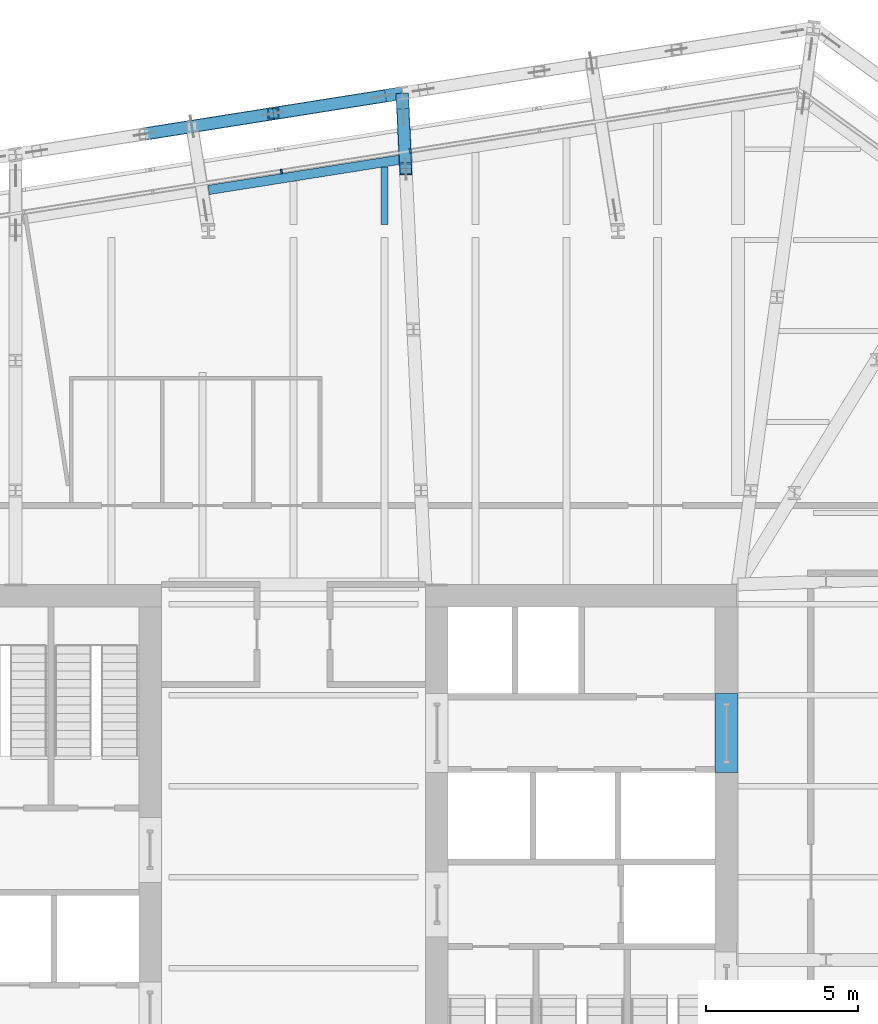
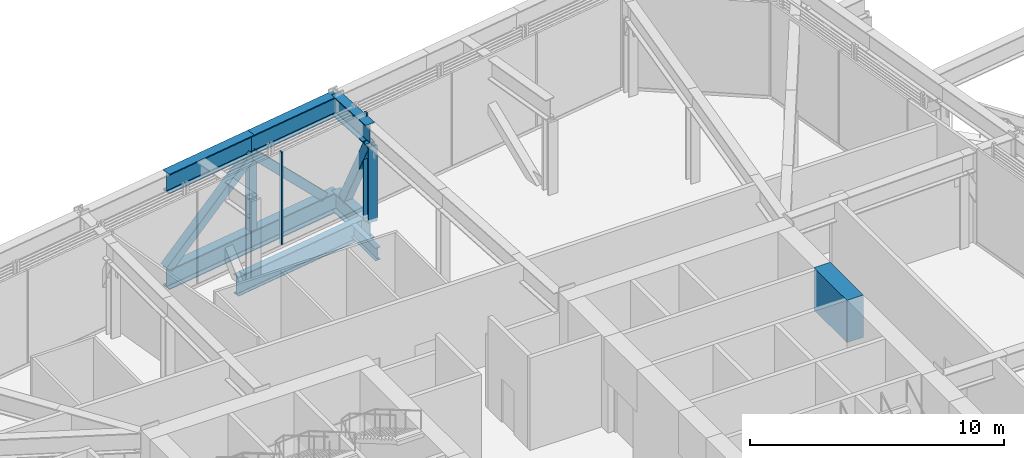
# One storey, part 14 of 32: 9 beams, 7 members, 1 element without a shape of its own.
"""IFC4 building model written with IfcOpenShell, lengths in metres."""

from ifc_helpers import new_model, si_unit, direction, frame, origin, origin_2d, place, context, subcontext, project, spatial, rectangle, hollow_rectangle, i_section, extrude, material, layer, layer_set, material_profile, profile_set, type_object, element, aggregate, save


model = new_model("IFC4")

# Units and contexts
model_context = context("Model", 3, precision=1e-05, world=origin(), true_north=direction((0.0, 1.0)))
body_context = subcontext(model_context, "Body", "Model", "MODEL_VIEW")
ifc_project = project(units=[si_unit("LENGTHUNIT", "METRE"), si_unit("AREAUNIT", "SQUARE_METRE"), si_unit("VOLUMEUNIT", "CUBIC_METRE"), si_unit("PLANEANGLEUNIT", "RADIAN"), si_unit("MASSUNIT", "GRAM", prefix="KILO")], contexts=[model_context])

# Site, building, storey
site_placement = place(None, origin())
site = spatial("IfcSite", under=ifc_project, at=site_placement, CompositionType="ELEMENT")
building_placement = place(site_placement, origin())
building = spatial("IfcBuilding", under=site, at=building_placement, Name="Millrace Tower", CompositionType="ELEMENT")
storey_placement = place(building_placement, frame((0.0, 0.0, 124.89990234375)))
storey = spatial("IfcBuildingStorey", under=building, at=storey_placement, Name="L27", CompositionType="ELEMENT", Elevation=124.89990234375)

# Curtain wall, members
ifc_material_1 = material(Name="Aluminium and glass", Category="aluminium")
ifc_layer = layer(ifc_material_1, 0.14990234375)
ifc_layer_set = layer_set([ifc_layer], Name="Aluminium and glass")
curtain_wall_type = type_object("IfcCurtainWallType", Name="CW-5 truss and plant storey louvred infill", PredefinedType="NOTDEFINED", material=ifc_layer_set)
curtain_wall_placement = place(storey_placement, origin())
curtain_wall = element("IfcCurtainWall", 1, at=curtain_wall_placement, inside=storey, type_object=curtain_wall_type, Name="Curtain wall C-F06 L27", PredefinedType="NOTDEFINED")
ifc_material_2 = material(Name="Aluminium", Category="aluminium")
ifc_material_profile_1 = material_profile(ifc_material_2, rectangle(XDim=0.06494140625, YDim=0.14990234375, at=origin_2d()))
ifc_profile_set_1 = profile_set([ifc_material_profile_1], Name="Aluminium")
member_type_1 = type_object("IfcMemberType", Name="CW-5 truss and plant storey louvred infill mullion", PredefinedType="MULLION", material=ifc_profile_set_1)
member_1_placement = place(storey_placement, frame((3.8505859375, 23.938720703125, 0.14013671875), z_axis=(0.0, 0.0, 1.0), x_axis=(-0.98768833929, -0.15643447328, 0.0)))
member_1 = element("IfcMember", 2, at=member_1_placement, type_object=member_type_1, Name="CW5 mullion C-F06.4", PredefinedType="MULLION", context=body_context, shape_type="SweptSolid", body=[
    extrude(rectangle(XDim=0.06494140625, YDim=0.14990234375, at=origin_2d()), origin(), (0.0, 0.0, 1.0), 4.4599609375),
])
member_2_placement = place(storey_placement, frame((-0.396484375, 23.26611328125, 0.14013671875), z_axis=(0.0, 0.0, 1.0), x_axis=(-0.98768833929, -0.15643447328, 0.0)))
member_2 = element("IfcMember", 3, at=member_2_placement, type_object=member_type_1, Name="CW5 mullion C-F06.5", PredefinedType="MULLION", context=body_context, shape_type="SweptSolid", body=[
    extrude(rectangle(XDim=0.06494140625, YDim=0.14990234375, at=origin_2d()), origin(), (0.0, 0.0, 1.0), 4.4599609375),
])
aggregate(curtain_wall, [member_1, member_2])

# Beams
ifc_material_3 = material(Name="Concrete C70", Category="concrete")
ifc_material_profile_2 = material_profile(ifc_material_3, rectangle(XDim=0.75, YDim=2.0400390625, at=origin_2d()))
ifc_profile_set_2 = profile_set([ifc_material_profile_2], Name="Concrete C70")
beam_type_1 = type_object("IfcBeamType", Name="Coupling beam 750 x 2040 Concrete C70, 2000 opening", PredefinedType="BEAM", material=ifc_profile_set_2)
beam_1_placement = place(storey_placement, frame((14.27490234375, 6.050048828125, 3.420166015625), z_axis=(0.0, -1.0, 0.0), x_axis=(1.0, 0.0, 0.0)))
element("IfcBeam", 4, at=beam_1_placement, inside=storey, type_object=beam_type_1, Name="Coupling beam E L27", PredefinedType="BEAM", context=body_context, shape_type="SweptSolid", body=[
    extrude(rectangle(XDim=0.75, YDim=2.0400390625, at=origin_2d()), origin(), (0.0, 0.0, 1.0), 2.60009765625),
])
ifc_material_4 = material(Name="Steel ASTM A992 Grade 50", Category="steel")
ifc_material_profile_3 = material_profile(ifc_material_4, i_section(OverallWidth=0.228271484375, OverallDepth=0.607177734375, WebThickness=0.01123046875, FlangeThickness=0.017333984375, FilletRadius=0.0126953125, at=origin_2d()))
ifc_profile_set_3 = profile_set([ifc_material_profile_3], Name="Steel ASTM A992 Grade 50")
beam_type_2 = type_object("IfcBeamType", Name="Floor beam W24x76", PredefinedType="JOIST", material=ifc_profile_set_3)
beam_2_placement = place(storey_placement, frame((3.0, 21.51806640625, -0.46337890625), z_axis=(0.0, 1.0, 0.0), x_axis=(-1.0, 0.0, 0.0)))
element("IfcBeam", 5, at=beam_2_placement, inside=storey, type_object=beam_type_2, Name="BM-C-L27-S1-S049-b", PredefinedType="JOIST", context=body_context, shape_type="SweptSolid", body=[
    extrude(i_section(OverallWidth=0.228271484375, OverallDepth=0.607177734375, WebThickness=0.01123046875, FlangeThickness=0.017333984375, FilletRadius=0.0126953125, at=origin_2d()), origin(), (0.0, 0.0, 1.0), 1.898681640625),
])
ifc_material_5 = material(Name="Steel ASTM A992 Grade 50", Category="steel")
ifc_material_profile_4 = material_profile(ifc_material_5, i_section(OverallWidth=0.307373046875, OverallDepth=0.927001953125, WebThickness=0.01953125, FlangeThickness=0.031982421875, FilletRadius=0.01904296875, at=origin_2d()))
ifc_profile_set_4 = profile_set([ifc_material_profile_4], Name="Steel ASTM A992 Grade 50")
beam_type_3 = type_object("IfcBeamType", Name="Ring beam short span W36x194", PredefinedType="SPANDREL", material=ifc_profile_set_4)
beam_3_placement = place(storey_placement, frame((-2.79931640625, 22.65380859375, -0.62353515625), z_axis=(0.987683371704, 0.156465834159, 0.0), x_axis=(-0.156465834159, 0.987683371704, 0.0)))
element("IfcBeam", 6, at=beam_3_placement, inside=storey, type_object=beam_type_3, Name="RNG-C-L27-S1-06-b", PredefinedType="SPANDREL", context=body_context, shape_type="SweptSolid", body=[
    extrude(i_section(OverallWidth=0.307373046875, OverallDepth=0.927001953125, WebThickness=0.01953125, FlangeThickness=0.031982421875, FilletRadius=0.01904296875, at=origin_2d()), origin(), (0.0, 0.0, 1.0), 6.35205078125),
])

# Member
ifc_material_6 = material(Name="Steel ASTM A992 Grade 50", Category="steel")
ifc_material_profile_5 = material_profile(ifc_material_6, i_section(OverallWidth=0.406494140625, OverallDepth=0.41650390625, WebThickness=0.030029296875, FlangeThickness=0.048095703125, FilletRadius=0.01513671875, at=origin_2d()))
ifc_profile_set_5 = profile_set([ifc_material_profile_5], Name="Steel ASTM A992 Grade 50")
member_type_2 = type_object("IfcMemberType", Name="Transfer truss Vierendeel moment post W14x257", PredefinedType="POST", material=ifc_profile_set_5)
member_3_placement = place(storey_placement, frame((3.699951171875, 23.347900390625, -0.159912109375), z_axis=(0.0, 0.0, 1.0), x_axis=(1.0, 0.0, 0.0)))
element("IfcMember", 7, at=member_3_placement, inside=storey, type_object=member_type_2, Name="TRS-L27-C11-V01", PredefinedType="POST", context=body_context, shape_type="SweptSolid", body=[
    extrude(i_section(OverallWidth=0.406494140625, OverallDepth=0.41650390625, WebThickness=0.030029296875, FlangeThickness=0.048095703125, FilletRadius=0.01513671875, at=origin_2d()), origin(), (0.0, 0.0, 1.0), 3.642333984375),
])

# Beams
ifc_material_7 = material(Name="Steel ASTM A992 Grade 50", Category="steel")
ifc_material_profile_6 = material_profile(ifc_material_7, i_section(OverallWidth=0.421630859375, OverallDepth=0.95751953125, WebThickness=0.02587890625, FlangeThickness=0.046875, FilletRadius=0.024169921875, at=origin_2d()))
ifc_profile_set_6 = profile_set([ifc_material_profile_6], Name="Steel ASTM A992 Grade 50")
beam_type_4 = type_object("IfcBeamType", Name="Transfer truss chord W36x330", PredefinedType="BEAM", material=ifc_profile_set_6)
for number, where, z_axis, x_axis, name in (
    (8, (3.58154296875, 25.844970703125, -0.638671875), (-0.987690583834, -0.15642030113, 0.0), (0.15642030113, -0.987690583834, 0.0), "TRS-L27-R11-B01"),
    (9, (3.58154296875, 25.844970703125, 3.96142578125), (-0.987690583834, -0.15642030113, 0.0), (0.15642030113, -0.987690583834, 0.0), "TRS-L27-R11-T01"),
    (10, (-0.66552734375, 25.17236328125, -0.638671875), (-0.987690583834, -0.15642030113, 0.0), (0.15642030113, -0.987690583834, 0.0), "TRS-L27-R11-B02"),
    (11, (-0.66552734375, 25.17236328125, 3.96142578125), (-0.987690583834, -0.15642030113, 0.0), (0.15642030113, -0.987690583834, 0.0), "TRS-L27-R11-T02"),
):
    element("IfcBeam", number, at=place(storey_placement, frame(where, z_axis=z_axis, x_axis=x_axis)), inside=storey, type_object=beam_type_4, Name=name, PredefinedType="BEAM", context=body_context, shape_type="SweptSolid", body=[
        extrude(i_section(OverallWidth=0.421630859375, OverallDepth=0.95751953125, WebThickness=0.02587890625, FlangeThickness=0.046875, FilletRadius=0.024169921875, at=origin_2d()), origin(), (0.0, 0.0, 1.0), 4.300048828125),
    ])
for number, where, z_axis, x_axis, name in (
    (12, (3.58154296875, 25.844970703125, -0.638671875), (0.047365628187, -0.998877618763, 0.0), (0.998877618763, 0.047365628187, 0.0), "TRS-L27-C11-B01"),
    (13, (3.58154296875, 25.844970703125, 3.96142578125), (0.047365628187, -0.998877618763, 0.0), (0.998877618763, 0.047365628187, 0.0), "TRS-L27-C11-T01"),
):
    element("IfcBeam", number, at=place(storey_placement, frame(where, z_axis=z_axis, x_axis=x_axis)), inside=storey, type_object=beam_type_4, Name=name, PredefinedType="BEAM", context=body_context, shape_type="SweptSolid", body=[
        extrude(i_section(OverallWidth=0.421630859375, OverallDepth=0.95751953125, WebThickness=0.02587890625, FlangeThickness=0.046875, FilletRadius=0.024169921875, at=origin_2d()), origin(), (0.0, 0.0, 1.0), 2.499755859375),
    ])

# Members
ifc_material_8 = material(Name="Steel ASTM A500 Grade C", Category="steel")
ifc_material_profile_7 = material_profile(ifc_material_8, hollow_rectangle(XDim=0.406494140625, YDim=0.406494140625, WallThickness=0.0126953125, InnerFilletRadius=0.00634765625, OuterFilletRadius=0.01904296875, at=origin_2d()))
ifc_profile_set_7 = profile_set([ifc_material_profile_7], Name="Steel ASTM A500 Grade C")
member_type_3 = type_object("IfcMemberType", Name="Transfer truss diagonal HSS16x16x1/2", PredefinedType="BRACE", material=ifc_profile_set_7)
member_4_placement = place(storey_placement, frame((2.89013671875, 25.735595703125, -0.159912109375), z_axis=(-0.694304430848, -0.109980796619, 0.711228220531), x_axis=(0.156453585206, -0.987685312069, 0.0)))
element("IfcMember", 14, at=member_4_placement, inside=storey, type_object=member_type_3, Name="TRS-L27-R11-D01", PredefinedType="BRACE", context=body_context, shape_type="SweptSolid", body=[
    extrude(hollow_rectangle(XDim=0.406494140625, YDim=0.406494140625, WallThickness=0.0126953125, InnerFilletRadius=0.00634765625, OuterFilletRadius=0.01904296875, at=origin_2d()), origin(), (0.0, 0.0, 1.0), 5.12109375),
])
member_5_placement = place(storey_placement, frame((-4.91259765625, 24.499755859375, -0.159912109375), z_axis=(0.753654723467, 0.119356102734, 0.64634253963), x_axis=(-0.15642030113, 0.987690583834, 0.0)))
element("IfcMember", 15, at=member_5_placement, inside=storey, type_object=member_type_3, Name="TRS-L27-R11-D02", PredefinedType="BRACE", context=body_context, shape_type="SweptSolid", body=[
    extrude(hollow_rectangle(XDim=0.406494140625, YDim=0.406494140625, WallThickness=0.0126953125, InnerFilletRadius=0.00634765625, OuterFilletRadius=0.01904296875, at=origin_2d()), origin(), (0.0, 0.0, 1.0), 5.63525390625),
])
member_6_placement = place(storey_placement, frame((3.61474609375, 25.145751953125, -0.159912109375), z_axis=(0.020972146744, -0.442518305504, 0.896514204212), x_axis=(0.998878853259, 0.047339587152, 0.0)))
element("IfcMember", 16, at=member_6_placement, inside=storey, type_object=member_type_3, Name="TRS-L27-C11-D01", PredefinedType="BRACE", context=body_context, shape_type="SweptSolid", body=[
    extrude(hollow_rectangle(XDim=0.406494140625, YDim=0.406494140625, WallThickness=0.0126953125, InnerFilletRadius=0.00634765625, OuterFilletRadius=0.01904296875, at=origin_2d()), origin(), (0.0, 0.0, 1.0), 4.062744140625),
])
ifc_material_9 = material(Name="Steel ASTM A500 Grade C", Category="steel")
ifc_material_profile_8 = material_profile(ifc_material_9, hollow_rectangle(XDim=0.355712890625, YDim=0.355712890625, WallThickness=0.015869140625, InnerFilletRadius=0.008056640625, OuterFilletRadius=0.02392578125, at=origin_2d()))
ifc_profile_set_8 = profile_set([ifc_material_profile_8], Name="Steel ASTM A500 Grade C")
member_type_4 = type_object("IfcMemberType", Name="Transfer truss post HSS14x14x5/8", PredefinedType="POST", material=ifc_profile_set_8)
member_7_placement = place(storey_placement, frame((-0.66552734375, 25.17236328125, -0.159912109375), z_axis=(0.0, 0.0, 1.0), x_axis=(1.0, 0.0, 0.0)))
element("IfcMember", 17, at=member_7_placement, inside=storey, type_object=member_type_4, Name="TRS-L27-R11-V01", PredefinedType="POST", context=body_context, shape_type="SweptSolid", body=[
    extrude(hollow_rectangle(XDim=0.355712890625, YDim=0.355712890625, WallThickness=0.015869140625, InnerFilletRadius=0.008056640625, OuterFilletRadius=0.02392578125, at=origin_2d()), origin(), (0.0, 0.0, 1.0), 3.642333984375),
])

save(model, "model.ifc")
